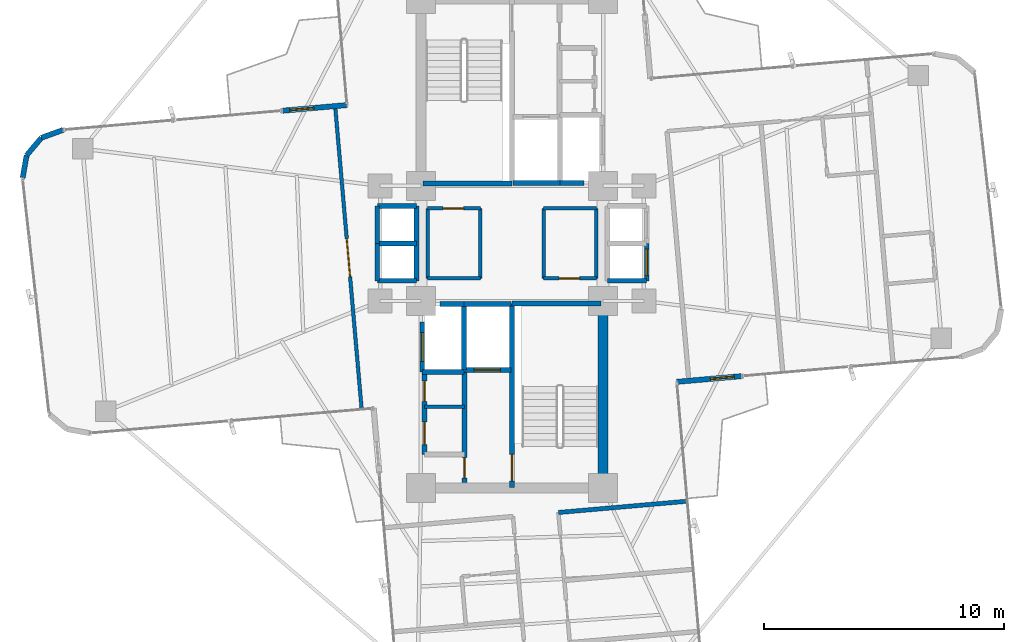
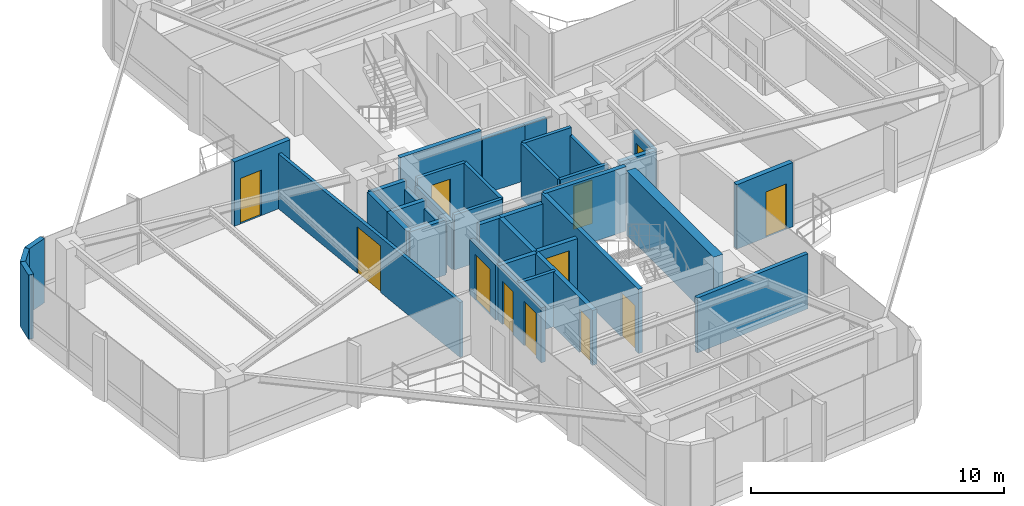
# One storey, part 21 of 24: 38 walls, 12 doors, 12 openings.
"""IFC4 building model written with IfcOpenShell, lengths in metres."""

from ifc_helpers import new_model, si_unit, direction, frame, frame_2d, origin, origin_2d, place, context, subcontext, project, spatial, rectangle, extrude, source, transform, mapped, material, layer, layer_set, type_object, element, fill, save


model = new_model("IFC4")

# Units and contexts
model_context = context("Model", 3, precision=1e-05, world=origin(), true_north=direction((0.0, 1.0)))
body_context = subcontext(model_context, "Body", "Model", "MODEL_VIEW")
ifc_project = project(units=[si_unit("LENGTHUNIT", "METRE"), si_unit("AREAUNIT", "SQUARE_METRE"), si_unit("VOLUMEUNIT", "CUBIC_METRE"), si_unit("PLANEANGLEUNIT", "RADIAN"), si_unit("MASSUNIT", "GRAM", prefix="KILO")], contexts=[model_context])

# Site, building, storey
site_placement = place(None, origin())
site = spatial("IfcSite", under=ifc_project, at=site_placement, CompositionType="ELEMENT")
building_placement = place(site_placement, origin())
building = spatial("IfcBuilding", under=site, at=building_placement, Name="Sahyath Konkavel Grand Hotel", CompositionType="ELEMENT")
storey_placement = place(building_placement, frame((0.0, 0.0, 150.60009765625)))
storey = spatial("IfcBuildingStorey", under=building, at=storey_placement, Name="L41", CompositionType="ELEMENT", Elevation=150.60009765625)

# Wall
ifc_material_1 = material(Name="Concrete C50/60", Category="concrete")
ifc_layer_1 = layer(ifc_material_1, 0.419921875)
ifc_layer_set_1 = layer_set([ifc_layer_1], Name="Concrete C50/60")
wall_type_1 = type_object("IfcWallType", Name="CWALL-420", PredefinedType="SHEAR", material=ifc_layer_set_1)
wall_1_placement = place(storey_placement, frame((3.800048828125, -9.75, 0.0), z_axis=(0.0, 0.0, 1.0), x_axis=(0.0, 1.0, 0.0)))
element("IfcWall", 1, at=wall_1_placement, inside=storey, type_object=wall_type_1, Name="L41 South Core Shear Wall E", PredefinedType="SHEAR", context=body_context, shape_type="SweptSolid", body=[
    extrude(rectangle(XDim=6.89990234375, YDim=0.419921875, at=frame_2d((3.449951171875, 0.0))), origin(), (0.0, 0.0, 1.0), 3.10986328125),
])

# Wall, opening, door
ifc_material_2 = material(Name="Warm Buff Sandstone Insulated Concrete C40/50", Category="masonry")
ifc_layer_2 = layer(ifc_material_2, 0.219970703125)
ifc_layer_set_2 = layer_set([ifc_layer_2], Name="Warm Buff Sandstone Insulated Concrete C40/50")
wall_type_2 = type_object("IfcWallType", Name="WLL-BALC-THRESH", PredefinedType="STANDARD", material=ifc_layer_set_2)
wall_2_placement = place(storey_placement, frame((6.87939453125, -5.7724609375, 0.0), z_axis=(0.0, 0.0, 1.0), x_axis=(0.996193619346, 0.087168071984, 0.0)))
wall_2 = element("IfcWall", 2, at=wall_2_placement, inside=storey, type_object=wall_type_2, Name="L41 Winter-Garden Threshold Wall 0", PredefinedType="STANDARD", context=body_context, shape_type="SweptSolid", body=[
    extrude(rectangle(XDim=2.699951171875, YDim=0.219970703125, at=frame_2d((1.35009765625, 0.0))), origin(), (0.0, 0.0, 1.0), 3.10986328125),
])
opening_1_placement = place(wall_2_placement, frame((1.39990234375, 0.0, 0.0)))
opening_1 = element("IfcOpeningElement", 3, at=opening_1_placement, cuts=wall_2, Name="Opening D-TR1", PredefinedType="OPENING", context=body_context, shape_type="SweptSolid", body=[
    extrude(rectangle(XDim=1.0, YDim=2.199951171875, at=frame_2d((0.5, 1.10009765625))), frame((0.0, 0.1201171875, 0.0), z_axis=(0.0, -1.0, 0.0), x_axis=(1.0, 0.0, 0.0)), (0.0, 0.0, 1.0), 0.239990234375),
])
ifc_material_3 = material(Name="Anodised Bronze Aluminium & Low-E Glazing", Category="aluminium")
door_type_1 = type_object("IfcDoorType", Name="DR-TERRACE-1000", OperationType="NOTDEFINED", PredefinedType="DOOR", material=ifc_material_3)
shared_shape_1 = source(origin(), body_context, "Body", "SweptSolid", [
    extrude(rectangle(XDim=1.0, YDim=0.050048828125, at=origin_2d()), origin(), (0.0, 0.0, 1.0), 2.199951171875),
])
door_1_placement = place(opening_1_placement, frame((0.5, 0.0, 0.0)))
door_1 = element("IfcDoor", 4, at=door_1_placement, inside=storey, type_object=door_type_1, Name="L41 Winter-Garden Terrace Door 0", OperationType="SINGLE_SWING_LEFT", OverallHeight=2.199951171875, OverallWidth=1.0, PredefinedType="DOOR", context=body_context, shape_type="MappedRepresentation", body=[
    mapped(shared_shape_1, transform((0.0, 0.0, 0.0), scale=1.0)),
])
fill(opening_1, door_1)

wall_3_placement = place(storey_placement, frame((-6.87939453125, 5.7724609375, 0.0), z_axis=(0.0, 0.0, 1.0), x_axis=(-0.996193619346, -0.087168071984, 0.0)))
wall_3 = element("IfcWall", 5, at=wall_3_placement, inside=storey, type_object=wall_type_2, Name="L41 Winter-Garden Threshold Wall 16", PredefinedType="STANDARD", context=body_context, shape_type="SweptSolid", body=[
    extrude(rectangle(XDim=2.699951171875, YDim=0.219970703125, at=frame_2d((1.35009765625, 0.0))), origin(), (0.0, 0.0, 1.0), 3.10986328125),
])
opening_2_placement = place(wall_3_placement, frame((1.39990234375, 0.0, 0.0)))
opening_2 = element("IfcOpeningElement", 6, at=opening_2_placement, cuts=wall_3, Name="Opening D-TR1", PredefinedType="OPENING", context=body_context, shape_type="SweptSolid", body=[
    extrude(rectangle(XDim=1.0, YDim=2.199951171875, at=frame_2d((0.5, 1.10009765625))), frame((0.0, 0.1201171875, 0.0), z_axis=(0.0, -1.0, 0.0), x_axis=(1.0, 0.0, 0.0)), (0.0, 0.0, 1.0), 0.239990234375),
])
door_2_placement = place(opening_2_placement, frame((0.5, 0.0, 0.0)))
door_2 = element("IfcDoor", 7, at=door_2_placement, inside=storey, type_object=door_type_1, Name="L41 Winter-Garden Terrace Door 16", OperationType="SINGLE_SWING_LEFT", OverallHeight=2.199951171875, OverallWidth=1.0, PredefinedType="DOOR", context=body_context, shape_type="MappedRepresentation", body=[
    mapped(shared_shape_1, transform((0.0, 0.0, 0.0), scale=1.0)),
])
fill(opening_2, door_2)

# Walls
wall_4_placement = place(storey_placement, frame((-18.73388671875, 4.735107421875, 0.0), z_axis=(0.0, 0.0, 1.0), x_axis=(-0.939741306239, -0.34188635151, 0.0)))
element("IfcWall", 8, at=wall_4_placement, inside=storey, type_object=wall_type_2, Name="L41 Rounded Corner Sandstone Pier 17", PredefinedType="STANDARD", context=body_context, shape_type="SweptSolid", body=[
    extrude(rectangle(XDim=0.95751953125, YDim=0.219970703125, at=frame_2d((0.478759765625, 0.0))), origin(), (0.0, 0.0, 1.0), 3.10986328125),
])
for number, where, z_axis, x_axis, name in (
    (9, (-19.6337890625, 4.40771484375, 0.0), (0.0, 0.0, 1.0), (-0.642863236823, -0.765980978054, 0.0), "L41 Rounded Corner Sandstone Pier 18"),
    (10, (-20.24951171875, 3.674072265625, 0.0), (0.0, 0.0, 1.0), (-0.173610811841, -0.984814340885, 0.0), "L41 Rounded Corner Sandstone Pier 19"),
):
    element("IfcWall", number, at=place(storey_placement, frame(where, z_axis=z_axis, x_axis=x_axis)), inside=storey, type_object=wall_type_2, Name=name, PredefinedType="STANDARD", context=body_context, shape_type="SweptSolid", body=[
        extrude(rectangle(XDim=0.957763671875, YDim=0.219970703125, at=frame_2d((0.47900390625, 0.0))), origin(), (0.0, 0.0, 1.0), 3.10986328125),
    ])
ifc_material_4 = material(Name="Concrete C40/50", Category="concrete")
ifc_layer_3 = layer(ifc_material_4, 0.199951171875)
ifc_layer_set_3 = layer_set([ifc_layer_3], Name="Concrete C40/50")
wall_type_3 = type_object("IfcWallType", Name="WLL-CORE-200", PredefinedType="SOLIDWALL", material=ifc_layer_set_3)
wall_5_placement = place(storey_placement, frame((-3.719970703125, 2.5, 0.0), z_axis=(0.0, 0.0, 1.0), x_axis=(1.0, 0.0, 0.0)))
element("IfcWall", 11, at=wall_5_placement, inside=storey, type_object=wall_type_3, Name="L41 Stair ST-1 Shaft Wall S", PredefinedType="SOLIDWALL", context=body_context, shape_type="SweptSolid", body=[
    extrude(rectangle(XDim=3.719970703125, YDim=0.199951171875, at=frame_2d((1.85986328125, 0.0))), origin(), (0.0, 0.0, 1.0), 3.10986328125),
])

# Wall, opening, door
wall_6_placement = place(storey_placement, frame((0.0, -10.179931640625, 0.0), z_axis=(0.0, 0.0, 1.0), x_axis=(0.0, 1.0, 0.0)))
wall_6 = element("IfcWall", 12, at=wall_6_placement, inside=storey, type_object=wall_type_3, Name="L41 Stair ST-2 Shaft Wall W", PredefinedType="SOLIDWALL", context=body_context, shape_type="SweptSolid", body=[
    extrude(rectangle(XDim=7.679931640625, YDim=0.199951171875, at=frame_2d((3.83984375, 0.0))), origin(), (0.0, 0.0, 1.0), 3.10986328125),
])
opening_3_placement = place(wall_6_placement, frame((0.280029296875, 0.0, 0.0)))
opening_3 = element("IfcOpeningElement", 13, at=opening_3_placement, cuts=wall_6, Name="Opening D-F12B", PredefinedType="OPENING", context=body_context, shape_type="SweptSolid", body=[
    extrude(rectangle(XDim=1.10009765625, YDim=2.14990234375, at=frame_2d((0.550048828125, 1.074951171875))), frame((0.0, 0.10986328125, 0.0), z_axis=(0.0, -1.0, 0.0), x_axis=(1.0, 0.0, 0.0)), (0.0, 0.0, 1.0), 0.219970703125),
])
ifc_material_5 = material(Name="Steel E350 Smokeproof Fire Door", Category="steel")
door_type_2 = type_object("IfcDoorType", Name="DR-FD120-1100", OperationType="NOTDEFINED", PredefinedType="DOOR", material=ifc_material_5)
shared_shape_2 = source(origin(), body_context, "Body", "SweptSolid", [
    extrude(rectangle(XDim=1.10009765625, YDim=0.050048828125, at=origin_2d()), origin(), (0.0, 0.0, 1.0), 2.14990234375),
])
door_3_placement = place(opening_3_placement, frame((0.550048828125, 0.0, 0.0)))
door_3 = element("IfcDoor", 14, at=door_3_placement, inside=storey, type_object=door_type_2, Name="L41 Stair ST-2 Fire Door", OperationType="SINGLE_SWING_RIGHT", OverallHeight=2.14990234375, OverallWidth=1.10009765625, PredefinedType="DOOR", context=body_context, shape_type="MappedRepresentation", body=[
    mapped(shared_shape_2, transform((0.0, 0.0, 0.0), scale=1.0)),
])
fill(opening_3, door_3)

# Wall
wall_7_placement = place(storey_placement, frame((0.0, -2.5, 0.0), z_axis=(0.0, 0.0, 1.0), x_axis=(1.0, 0.0, 0.0)))
element("IfcWall", 15, at=wall_7_placement, inside=storey, type_object=wall_type_3, Name="L41 Stair ST-2 Shaft Wall N", PredefinedType="SOLIDWALL", context=body_context, shape_type="SweptSolid", body=[
    extrude(rectangle(XDim=3.719970703125, YDim=0.199951171875, at=frame_2d((1.85986328125, 0.0))), origin(), (0.0, 0.0, 1.0), 3.10986328125),
])

# Wall, opening, door
wall_8_placement = place(storey_placement, frame((-1.97998046875, -9.97998046875, 0.0), z_axis=(0.0, 0.0, 1.0), x_axis=(0.0, 1.0, 0.0)))
wall_8 = element("IfcWall", 16, at=wall_8_placement, inside=storey, type_object=wall_type_3, Name="L41 South Firefighting Lobby Wall W", PredefinedType="SOLIDWALL", context=body_context, shape_type="SweptSolid", body=[
    extrude(rectangle(XDim=4.659912109375, YDim=0.199951171875, at=frame_2d((2.330078125, 0.0))), origin(), (0.0, 0.0, 1.0), 2.659912109375),
])
opening_4_placement = place(wall_8_placement, frame((0.199951171875, 0.0, 0.0)))
opening_4 = element("IfcOpeningElement", 17, at=opening_4_placement, cuts=wall_8, Name="Opening D-F12D", PredefinedType="OPENING", context=body_context, shape_type="SweptSolid", body=[
    extrude(rectangle(XDim=0.85009765625, YDim=2.10009765625, at=frame_2d((0.425048828125, 1.050048828125))), frame((0.0, 0.10986328125, 0.0), z_axis=(0.0, -1.0, 0.0), x_axis=(1.0, 0.0, 0.0)), (0.0, 0.0, 1.0), 0.219970703125),
])
ifc_material_6 = material(Name="Steel E350 Core Fire Door", Category="steel")
door_type_3 = type_object("IfcDoorType", Name="DR-FD120-850", OperationType="NOTDEFINED", PredefinedType="DOOR", material=ifc_material_6)
shared_shape_3 = source(origin(), body_context, "Body", "SweptSolid", [
    extrude(rectangle(XDim=0.85009765625, YDim=0.050048828125, at=origin_2d()), origin(), (0.0, 0.0, 1.0), 2.10009765625),
])
door_4_placement = place(opening_4_placement, frame((0.425048828125, 0.0, 0.0)))
door_4 = element("IfcDoor", 18, at=door_4_placement, inside=storey, type_object=door_type_3, Name="L41 South Firefighting Lobby Door", OperationType="SINGLE_SWING_RIGHT", OverallHeight=2.10009765625, OverallWidth=0.85009765625, PredefinedType="DOOR", context=body_context, shape_type="MappedRepresentation", body=[
    mapped(shared_shape_3, transform((0.0, 0.0, 0.0), scale=1.0)),
])
fill(opening_4, door_4)

# Walls
wall_9_placement = place(storey_placement, frame((0.050048828125, 2.52001953125, 0.0), z_axis=(0.0, 0.0, 1.0), x_axis=(1.0, 0.0, 0.0)))
element("IfcWall", 19, at=wall_9_placement, inside=storey, type_object=wall_type_3, Name="L41 Partition SH-FFL1-S", PredefinedType="SOLIDWALL", context=body_context, shape_type="SweptSolid", body=[
    extrude(rectangle(XDim=1.949951171875, YDim=0.199951171875, at=frame_2d((0.97509765625, 0.0))), origin(), (0.0, 0.0, 1.0), 2.659912109375),
])
wall_10_placement = place(storey_placement, frame((-2.0, -5.280029296875, 0.0), z_axis=(0.0, 0.0, 1.0), x_axis=(0.0, 1.0, 0.0)))
element("IfcWall", 20, at=wall_10_placement, inside=storey, type_object=wall_type_3, Name="L41 Partition SH-FFL2-W", PredefinedType="SOLIDWALL", context=body_context, shape_type="SweptSolid", body=[
    extrude(rectangle(XDim=2.780029296875, YDim=0.199951171875, at=frame_2d((1.39013671875, 0.0))), origin(), (0.0, 0.0, 1.0), 2.659912109375),
])
wall_11_placement = place(storey_placement, frame((-2.0, -2.52001953125, 0.0), z_axis=(0.0, 0.0, 1.0), x_axis=(1.0, 0.0, 0.0)))
element("IfcWall", 21, at=wall_11_placement, inside=storey, type_object=wall_type_3, Name="L41 Partition SH-FFL2-N", PredefinedType="SOLIDWALL", context=body_context, shape_type="SweptSolid", body=[
    extrude(rectangle(XDim=1.949951171875, YDim=0.199951171875, at=frame_2d((0.97509765625, 0.0))), origin(), (0.0, 0.0, 1.0), 2.659912109375),
])

# Wall, opening, door
wall_12_placement = place(storey_placement, frame((-1.97998046875, -5.280029296875, 0.0), z_axis=(0.0, 0.0, 1.0), x_axis=(1.0, 0.0, 0.0)))
wall_12 = element("IfcWall", 22, at=wall_12_placement, inside=storey, type_object=wall_type_3, Name="L41 Partition SH-FFL2-S", PredefinedType="SOLIDWALL", context=body_context, shape_type="SweptSolid", body=[
    extrude(rectangle(XDim=1.929931640625, YDim=0.199951171875, at=frame_2d((0.96484375, 0.0))), origin(), (0.0, 0.0, 1.0), 2.659912109375),
])
opening_5_placement = place(wall_12_placement, frame((0.39990234375, 0.0, 0.0)))
opening_5 = element("IfcOpeningElement", 23, at=opening_5_placement, cuts=wall_12, Name="Opening LD-11", PredefinedType="OPENING", context=body_context, shape_type="SweptSolid", body=[
    extrude(rectangle(XDim=1.10009765625, YDim=2.199951171875, at=frame_2d((0.550048828125, 1.10009765625))), frame((0.0, 0.10986328125, 0.0), z_axis=(0.0, -1.0, 0.0), x_axis=(1.0, 0.0, 0.0)), (0.0, 0.0, 1.0), 0.219970703125),
])
ifc_material_7 = material(Name="Bronze Lift Landing Door 1100")
door_type_4 = type_object("IfcDoorType", Name="DR-LIFT-1100", OperationType="DOUBLE_DOOR_SLIDING", PredefinedType="DOOR", material=ifc_material_7)
shared_shape_4 = source(origin(), body_context, "Body", "SweptSolid", [
    extrude(rectangle(XDim=1.10009765625, YDim=0.050048828125, at=origin_2d()), origin(), (0.0, 0.0, 1.0), 2.199951171875),
])
door_5_placement = place(opening_5_placement, frame((0.550048828125, 0.0, 0.0)))
door_5 = element("IfcDoor", 24, at=door_5_placement, inside=storey, type_object=door_type_4, Name="L41 Lift FFL-2 Landing Door", OperationType="DOUBLE_DOOR_SLIDING", OverallHeight=2.199951171875, OverallWidth=1.10009765625, PredefinedType="DOOR", context=body_context, shape_type="MappedRepresentation", body=[
    mapped(shared_shape_4, transform((0.0, 0.0, 0.0), scale=1.0)),
])
fill(opening_5, door_5)

# Walls
for number, where, z_axis, x_axis, name in (
    (25, (2.0, 2.52001953125, 0.0), (0.0, 0.0, 1.0), (1.0, 0.0, 0.0), "L41 Partition SH-SVL1-S"),
    (26, (-3.0, -2.52001953125, 0.0), (0.0, 0.0, 1.0), (1.0, 0.0, 0.0), "L41 Partition SH-SVL2-N"),
):
    element("IfcWall", number, at=place(storey_placement, frame(where, z_axis=z_axis, x_axis=x_axis)), inside=storey, type_object=wall_type_3, Name=name, PredefinedType="SOLIDWALL", context=body_context, shape_type="SweptSolid", body=[
        extrude(rectangle(XDim=1.0, YDim=0.199951171875, at=frame_2d((0.5, 0.0))), origin(), (0.0, 0.0, 1.0), 2.659912109375),
    ])
wall_13_placement = place(storey_placement, frame((-3.739990234375, -5.360107421875, 0.0), z_axis=(0.0, 0.0, 1.0), x_axis=(1.0, 0.0, 0.0)))
element("IfcWall", 27, at=wall_13_placement, inside=storey, type_object=wall_type_3, Name="L41 Partition SH-SVL2-S", PredefinedType="SOLIDWALL", context=body_context, shape_type="SweptSolid", body=[
    extrude(rectangle(XDim=1.739990234375, YDim=0.199951171875, at=frame_2d((0.8701171875, 0.0))), origin(), (0.0, 0.0, 1.0), 2.659912109375),
])

# Wall, opening, door
wall_14_placement = place(storey_placement, frame((-3.739990234375, -5.360107421875, 0.0), z_axis=(0.0, 0.0, 1.0), x_axis=(0.0, 1.0, 0.0)))
wall_14 = element("IfcWall", 28, at=wall_14_placement, inside=storey, type_object=wall_type_3, Name="L41 Partition SH-SVL2-W", PredefinedType="SOLIDWALL", context=body_context, shape_type="SweptSolid", body=[
    extrude(rectangle(XDim=2.080078125, YDim=0.199951171875, at=frame_2d((1.0400390625, 0.0))), origin(), (0.0, 0.0, 1.0), 2.659912109375),
])
opening_6_placement = place(wall_14_placement, frame((0.43994140625, 0.0, 0.0)))
opening_6 = element("IfcOpeningElement", 29, at=opening_6_placement, cuts=wall_14, Name="Opening LD-12", PredefinedType="OPENING", context=body_context, shape_type="SweptSolid", body=[
    extrude(rectangle(XDim=1.199951171875, YDim=2.199951171875, at=frame_2d((0.60009765625, 1.10009765625))), frame((0.0, 0.10986328125, 0.0), z_axis=(0.0, -1.0, 0.0), x_axis=(1.0, 0.0, 0.0)), (0.0, 0.0, 1.0), 0.219970703125),
])
ifc_material_8 = material(Name="Stainless Steel Lift Landing Door 1200", Category="steel")
door_type_5 = type_object("IfcDoorType", Name="DR-LIFT-1200", OperationType="DOUBLE_DOOR_SLIDING", PredefinedType="DOOR", material=ifc_material_8)
shared_shape_5 = source(origin(), body_context, "Body", "SweptSolid", [
    extrude(rectangle(XDim=1.199951171875, YDim=0.050048828125, at=origin_2d()), origin(), (0.0, 0.0, 1.0), 2.199951171875),
])
door_6_placement = place(opening_6_placement, frame((0.60009765625, 0.0, 0.0)))
door_6 = element("IfcDoor", 30, at=door_6_placement, inside=storey, type_object=door_type_5, Name="L41 Service Lift SVL-2 Landing Door", OperationType="DOUBLE_DOOR_SLIDING", OverallHeight=2.199951171875, OverallWidth=1.199951171875, PredefinedType="DOOR", context=body_context, shape_type="MappedRepresentation", body=[
    mapped(shared_shape_5, transform((0.0, 0.0, 0.0), scale=1.0)),
])
fill(opening_6, door_6)

# Wall
wall_15_placement = place(storey_placement, frame((3.97998046875, -1.56005859375, 0.0), z_axis=(0.0, 0.0, 1.0), x_axis=(1.0, 0.0, 0.0)))
element("IfcWall", 31, at=wall_15_placement, inside=storey, type_object=wall_type_3, Name="L41 Partition SH-PL56-S", PredefinedType="SOLIDWALL", context=body_context, shape_type="SweptSolid", body=[
    extrude(rectangle(XDim=1.64013671875, YDim=0.199951171875, at=frame_2d((0.820068359375, 0.0))), origin(), (0.0, 0.0, 1.0), 2.659912109375),
])

# Wall, opening, door
wall_16_placement = place(storey_placement, frame((5.6201171875, -1.56005859375, 0.0), z_axis=(0.0, 0.0, 1.0), x_axis=(0.0, 1.0, 0.0)))
wall_16 = element("IfcWall", 32, at=wall_16_placement, inside=storey, type_object=wall_type_3, Name="L41 Partition SH-PL6-E", PredefinedType="SOLIDWALL", context=body_context, shape_type="SweptSolid", body=[
    extrude(rectangle(XDim=1.56005859375, YDim=0.199951171875, at=frame_2d((0.780029296875, 0.0))), origin(), (0.0, 0.0, 1.0), 2.659912109375),
])
opening_7_placement = place(wall_16_placement, frame((0.219970703125, 0.0, 0.0)))
opening_7 = element("IfcOpeningElement", 33, at=opening_7_placement, cuts=wall_16, Name="Opening LD-11", PredefinedType="OPENING", context=body_context, shape_type="SweptSolid", body=[
    extrude(rectangle(XDim=1.10009765625, YDim=2.199951171875, at=frame_2d((0.550048828125, 1.10009765625))), frame((0.0, 0.10986328125, 0.0), z_axis=(0.0, -1.0, 0.0), x_axis=(1.0, 0.0, 0.0)), (0.0, 0.0, 1.0), 0.219970703125),
])
door_7_placement = place(opening_7_placement, frame((0.550048828125, 0.0, 0.0)))
door_7 = element("IfcDoor", 34, at=door_7_placement, inside=storey, type_object=door_type_4, Name="L41 High-Rise Lift PL-6 Landing Door", OperationType="DOUBLE_DOOR_SLIDING", OverallHeight=2.199951171875, OverallWidth=1.10009765625, PredefinedType="DOOR", context=body_context, shape_type="MappedRepresentation", body=[
    mapped(shared_shape_4, transform((0.0, 0.0, 0.0), scale=1.0)),
])
fill(opening_7, door_7)

# Walls
wall_17_placement = place(storey_placement, frame((-3.97998046875, -1.56005859375, 0.0), z_axis=(0.0, 0.0, 1.0), x_axis=(0.0, 1.0, 0.0)))
element("IfcWall", 35, at=wall_17_placement, inside=storey, type_object=wall_type_3, Name="L41 Partition SH-SL12-E", PredefinedType="SOLIDWALL", context=body_context, shape_type="SweptSolid", body=[
    extrude(rectangle(XDim=3.1201171875, YDim=0.199951171875, at=frame_2d((1.56005859375, 0.0))), origin(), (0.0, 0.0, 1.0), 2.27978515625),
])
for number, where, z_axis, x_axis, name in (
    (36, (-5.6201171875, 1.56005859375, 0.0), (0.0, 0.0, 1.0), (1.0, 0.0, 0.0), "L41 Partition SH-SL12-N"),
    (37, (-5.6201171875, -1.56005859375, 0.0), (0.0, 0.0, 1.0), (1.0, 0.0, 0.0), "L41 Partition SH-SL12-S"),
    (38, (-5.6201171875, 0.0, 0.0), (0.0, 0.0, 1.0), (1.0, 0.0, 0.0), "L41 Partition SH-SL12-M"),
):
    element("IfcWall", number, at=place(storey_placement, frame(where, z_axis=z_axis, x_axis=x_axis)), inside=storey, type_object=wall_type_3, Name=name, PredefinedType="SOLIDWALL", context=body_context, shape_type="SweptSolid", body=[
        extrude(rectangle(XDim=1.64013671875, YDim=0.199951171875, at=frame_2d((0.820068359375, 0.0))), origin(), (0.0, 0.0, 1.0), 2.659912109375),
    ])
for number, where, z_axis, x_axis, name in (
    (39, (-5.6201171875, 0.0, 0.0), (0.0, 0.0, 1.0), (0.0, 1.0, 0.0), "L41 Partition SH-SL1-W"),
    (40, (-5.6201171875, -1.56005859375, 0.0), (0.0, 0.0, 1.0), (0.0, 1.0, 0.0), "L41 Partition SH-SL2-W"),
):
    element("IfcWall", number, at=place(storey_placement, frame(where, z_axis=z_axis, x_axis=x_axis)), inside=storey, type_object=wall_type_3, Name=name, PredefinedType="SOLIDWALL", context=body_context, shape_type="SweptSolid", body=[
        extrude(rectangle(XDim=1.56005859375, YDim=0.199951171875, at=frame_2d((0.780029296875, 0.0))), origin(), (0.0, 0.0, 1.0), 2.659912109375),
    ])

# Wall, openings, doors
wall_18_placement = place(storey_placement, frame((-3.64990234375, -8.81005859375, 0.0), z_axis=(0.0, 0.0, 1.0), x_axis=(0.0, 1.0, 0.0)))
wall_18 = element("IfcWall", 41, at=wall_18_placement, inside=storey, type_object=wall_type_3, Name="L41 Reclaimed South Core Wall W", PredefinedType="SOLIDWALL", context=body_context, shape_type="SweptSolid", body=[
    extrude(rectangle(XDim=3.43017578125, YDim=0.199951171875, at=frame_2d((1.715087890625, 0.0))), origin(), (0.0, 0.0, 1.0), 2.659912109375),
])
opening_8_placement = place(wall_18_placement, frame((0.419921875, 0.0, 0.0)))
opening_8 = element("IfcOpeningElement", 42, at=opening_8_placement, cuts=wall_18, Name="Opening D-AC95", PredefinedType="OPENING", context=body_context, shape_type="SweptSolid", body=[
    extrude(rectangle(XDim=0.949951171875, YDim=2.14990234375, at=frame_2d((0.47509765625, 1.074951171875))), frame((0.0, 0.10986328125, 0.0), z_axis=(0.0, -1.0, 0.0), x_axis=(1.0, 0.0, 0.0)), (0.0, 0.0, 1.0), 0.219970703125),
])
opening_9_placement = place(wall_18_placement, frame((2.219970703125, 0.0, 0.0)))
opening_9 = element("IfcOpeningElement", 43, at=opening_9_placement, cuts=wall_18, Name="Opening D-F06D", PredefinedType="OPENING", context=body_context, shape_type="SweptSolid", body=[
    extrude(rectangle(XDim=0.85009765625, YDim=2.10009765625, at=frame_2d((0.425048828125, 1.050048828125))), frame((0.0, 0.10986328125, 0.0), z_axis=(0.0, -1.0, 0.0), x_axis=(1.0, 0.0, 0.0)), (0.0, 0.0, 1.0), 0.219970703125),
])
ifc_material_9 = material(Name="Accessible Washroom Timber Door", Category="wood")
door_type_6 = type_object("IfcDoorType", Name="DR-ACC-950", OperationType="NOTDEFINED", PredefinedType="DOOR", material=ifc_material_9)
shared_shape_6 = source(origin(), body_context, "Body", "SweptSolid", [
    extrude(rectangle(XDim=0.949951171875, YDim=0.050048828125, at=origin_2d()), origin(), (0.0, 0.0, 1.0), 2.14990234375),
])
door_8_placement = place(opening_8_placement, frame((0.47509765625, 0.0, 0.0)))
door_8 = element("IfcDoor", 44, at=door_8_placement, inside=storey, type_object=door_type_6, Name="L41 Door SC-REC1-D", OperationType="SINGLE_SWING_LEFT", OverallHeight=2.14990234375, OverallWidth=0.949951171875, PredefinedType="DOOR", context=body_context, shape_type="MappedRepresentation", body=[
    mapped(shared_shape_6, transform((0.0, 0.0, 0.0), scale=1.0)),
])
fill(opening_8, door_8)
ifc_material_10 = material(Name="Fire-Rated Shaft Access Door")
door_type_7 = type_object("IfcDoorType", Name="DR-FD60-850", OperationType="NOTDEFINED", PredefinedType="DOOR", material=ifc_material_10)
door_9_placement = place(opening_9_placement, frame((0.425048828125, 0.0, 0.0)))
door_9 = element("IfcDoor", 45, at=door_9_placement, inside=storey, type_object=door_type_7, Name="L41 Door SC-REC2-D", OperationType="SINGLE_SWING_RIGHT", OverallHeight=2.10009765625, OverallWidth=0.85009765625, PredefinedType="DOOR", context=body_context, shape_type="MappedRepresentation", body=[
    mapped(shared_shape_3, transform((0.0, 0.0, 0.0), scale=1.0)),
])
fill(opening_9, door_9)

# Walls
ifc_material_11 = material(Name="Twin-Stud Acoustic Gypsum Plasterboard Partition")
ifc_layer_4 = layer(ifc_material_11, 0.179931640625)
ifc_layer_set_4 = layer_set([ifc_layer_4], Name="Twin-Stud Acoustic Gypsum Plasterboard Partition")
wall_type_4 = type_object("IfcWallType", Name="WLL-DEMISE-180", PredefinedType="PARTITIONING", material=ifc_layer_set_4)
wall_19_placement = place(storey_placement, frame((1.935546875, -11.22412109375, 0.0), z_axis=(0.0, 0.0, 1.0), x_axis=(0.996194212812, 0.087161289348, 0.0)))
element("IfcWall", 46, at=wall_19_placement, inside=storey, type_object=wall_type_4, Name="L41 Partition S-INL", PredefinedType="PARTITIONING", context=body_context, shape_type="SweptSolid", body=[
    extrude(rectangle(XDim=5.349853515625, YDim=0.179931640625, at=frame_2d((2.6748046875, 0.0))), origin(), (0.0, 0.0, 1.0), 2.659912109375),
])
ifc_material_12 = material(Name="Fire-Rated Gypsum Plasterboard Partition")
ifc_layer_5 = layer(ifc_material_12, 0.14990234375)
ifc_layer_set_5 = layer_set([ifc_layer_5], Name="Fire-Rated Gypsum Plasterboard Partition")
wall_type_5 = type_object("IfcWallType", Name="WLL-PART-150", PredefinedType="PARTITIONING", material=ifc_layer_set_5)
wall_20_placement = place(storey_placement, frame((-3.64990234375, -6.81005859375, 0.0), z_axis=(0.0, 0.0, 1.0), x_axis=(1.0, 0.0, 0.0)))
element("IfcWall", 47, at=wall_20_placement, inside=storey, type_object=wall_type_5, Name="L41 Partition SC-REC-M1", PredefinedType="PARTITIONING", context=body_context, shape_type="SweptSolid", body=[
    extrude(rectangle(XDim=1.669921875, YDim=0.14990234375, at=frame_2d((0.8349609375, 0.0))), origin(), (0.0, 0.0, 1.0), 2.659912109375),
])
wall_21_placement = place(storey_placement, frame((-1.320068359375, -1.4599609375, 0.0), z_axis=(0.0, 0.0, 1.0), x_axis=(0.0, 1.0, 0.0)))
element("IfcWall", 48, at=wall_21_placement, inside=storey, type_object=wall_type_5, Name="L41 Partition CC-1WI", PredefinedType="PARTITIONING", context=body_context, shape_type="SweptSolid", body=[
    extrude(rectangle(XDim=2.919921875, YDim=0.14990234375, at=frame_2d((1.4599609375, 0.0))), origin(), (0.0, 0.0, 1.0), 2.659912109375),
])
wall_22_placement = place(storey_placement, frame((-3.52001953125, -1.4599609375, 0.0), z_axis=(0.0, 0.0, 1.0), x_axis=(0.0, 1.0, 0.0)))
element("IfcWall", 49, at=wall_22_placement, inside=storey, type_object=wall_type_5, Name="L41 Partition CC-1WO", PredefinedType="PARTITIONING", context=body_context, shape_type="SweptSolid", body=[
    extrude(rectangle(XDim=2.919921875, YDim=0.14990234375, at=frame_2d((1.4599609375, 0.0))), origin(), (0.0, 0.0, 1.0), 2.27978515625),
])

# Wall, opening, door
wall_23_placement = place(storey_placement, frame((-3.52001953125, 1.4599609375, 0.0), z_axis=(0.0, 0.0, 1.0), x_axis=(1.0, 0.0, 0.0)))
wall_23 = element("IfcWall", 50, at=wall_23_placement, inside=storey, type_object=wall_type_5, Name="L41 Partition CC-1WN", PredefinedType="PARTITIONING", context=body_context, shape_type="SweptSolid", body=[
    extrude(rectangle(XDim=2.199951171875, YDim=0.14990234375, at=frame_2d((1.10009765625, 0.0))), origin(), (0.0, 0.0, 1.0), 2.659912109375),
])
opening_10_placement = place(wall_23_placement, frame((0.64990234375, 0.0, 0.0)))
opening_10 = element("IfcOpeningElement", 51, at=opening_10_placement, cuts=wall_23, Name="Opening D-F06D", PredefinedType="OPENING", context=body_context, shape_type="SweptSolid", body=[
    extrude(rectangle(XDim=0.85009765625, YDim=2.10009765625, at=frame_2d((0.425048828125, 1.050048828125))), frame((0.0, 0.0849609375, 0.0), z_axis=(0.0, -1.0, 0.0), x_axis=(1.0, 0.0, 0.0)), (0.0, 0.0, 1.0), 0.169921875),
])
door_10_placement = place(opening_10_placement, frame((0.425048828125, 0.0, 0.0)))
door_10 = element("IfcDoor", 52, at=door_10_placement, inside=storey, type_object=door_type_7, Name="L41 Door CC-D1W", OperationType="SINGLE_SWING_LEFT", OverallHeight=2.10009765625, OverallWidth=0.85009765625, PredefinedType="DOOR", context=body_context, shape_type="MappedRepresentation", body=[
    mapped(shared_shape_3, transform((0.0, 0.0, 0.0), scale=1.0)),
])
fill(opening_10, door_10)

# Walls
wall_24_placement = place(storey_placement, frame((-3.52001953125, -1.4599609375, 0.0), z_axis=(0.0, 0.0, 1.0), x_axis=(1.0, 0.0, 0.0)))
element("IfcWall", 53, at=wall_24_placement, inside=storey, type_object=wall_type_5, Name="L41 Partition CC-1WS", PredefinedType="PARTITIONING", context=body_context, shape_type="SweptSolid", body=[
    extrude(rectangle(XDim=2.199951171875, YDim=0.14990234375, at=frame_2d((1.10009765625, 0.0))), origin(), (0.0, 0.0, 1.0), 2.659912109375),
])
wall_25_placement = place(storey_placement, frame((1.320068359375, -1.4599609375, 0.0), z_axis=(0.0, 0.0, 1.0), x_axis=(0.0, 1.0, 0.0)))
element("IfcWall", 54, at=wall_25_placement, inside=storey, type_object=wall_type_5, Name="L41 Partition CC-1EI", PredefinedType="PARTITIONING", context=body_context, shape_type="SweptSolid", body=[
    extrude(rectangle(XDim=2.919921875, YDim=0.14990234375, at=frame_2d((1.4599609375, 0.0))), origin(), (0.0, 0.0, 1.0), 2.659912109375),
])
wall_26_placement = place(storey_placement, frame((3.52001953125, -1.4599609375, 0.0), z_axis=(0.0, 0.0, 1.0), x_axis=(0.0, 1.0, 0.0)))
element("IfcWall", 55, at=wall_26_placement, inside=storey, type_object=wall_type_5, Name="L41 Partition CC-1EO", PredefinedType="PARTITIONING", context=body_context, shape_type="SweptSolid", body=[
    extrude(rectangle(XDim=2.919921875, YDim=0.14990234375, at=frame_2d((1.4599609375, 0.0))), origin(), (0.0, 0.0, 1.0), 2.27978515625),
])
wall_27_placement = place(storey_placement, frame((1.320068359375, 1.4599609375, 0.0), z_axis=(0.0, 0.0, 1.0), x_axis=(1.0, 0.0, 0.0)))
element("IfcWall", 56, at=wall_27_placement, inside=storey, type_object=wall_type_5, Name="L41 Partition CC-1EN", PredefinedType="PARTITIONING", context=body_context, shape_type="SweptSolid", body=[
    extrude(rectangle(XDim=2.199951171875, YDim=0.14990234375, at=frame_2d((1.10009765625, 0.0))), origin(), (0.0, 0.0, 1.0), 2.659912109375),
])

# Wall, opening, door
wall_28_placement = place(storey_placement, frame((1.320068359375, -1.4599609375, 0.0), z_axis=(0.0, 0.0, 1.0), x_axis=(1.0, 0.0, 0.0)))
wall_28 = element("IfcWall", 57, at=wall_28_placement, inside=storey, type_object=wall_type_5, Name="L41 Partition CC-1ES", PredefinedType="PARTITIONING", context=body_context, shape_type="SweptSolid", body=[
    extrude(rectangle(XDim=2.199951171875, YDim=0.14990234375, at=frame_2d((1.10009765625, 0.0))), origin(), (0.0, 0.0, 1.0), 2.659912109375),
])
opening_11_placement = place(wall_28_placement, frame((0.64990234375, 0.0, 0.0)))
opening_11 = element("IfcOpeningElement", 58, at=opening_11_placement, cuts=wall_28, Name="Opening D-F06D", PredefinedType="OPENING", context=body_context, shape_type="SweptSolid", body=[
    extrude(rectangle(XDim=0.85009765625, YDim=2.10009765625, at=frame_2d((0.425048828125, 1.050048828125))), frame((0.0, 0.0849609375, 0.0), z_axis=(0.0, -1.0, 0.0), x_axis=(1.0, 0.0, 0.0)), (0.0, 0.0, 1.0), 0.169921875),
])
door_11_placement = place(opening_11_placement, frame((0.425048828125, 0.0, 0.0)))
door_11 = element("IfcDoor", 59, at=door_11_placement, inside=storey, type_object=door_type_7, Name="L41 Door CC-D1E", OperationType="SINGLE_SWING_RIGHT", OverallHeight=2.10009765625, OverallWidth=0.85009765625, PredefinedType="DOOR", context=body_context, shape_type="MappedRepresentation", body=[
    mapped(shared_shape_3, transform((0.0, 0.0, 0.0), scale=1.0)),
])
fill(opening_11, door_11)

wall_29_placement = place(storey_placement, frame((-7.373046875, 5.678955078125, 0.0), z_axis=(0.0, 0.0, 1.0), x_axis=(0.087154691724, -0.996194790044, 0.0)))
wall_29 = element("IfcWall", 60, at=wall_29_placement, inside=storey, type_object=wall_type_5, Name="L41 Partition W-SAL-IN", PredefinedType="PARTITIONING", context=body_context, shape_type="SweptSolid", body=[
    extrude(rectangle(XDim=12.599853515625, YDim=0.14990234375, at=frame_2d((6.2998046875, 0.0))), origin(), (0.0, 0.0, 1.0), 2.659912109375),
])
opening_12_placement = place(wall_29_placement, frame((5.5, 0.0, 0.0)))
opening_12 = element("IfcOpeningElement", 61, at=opening_12_placement, cuts=wall_29, Name="Opening D-DB16", PredefinedType="OPENING", context=body_context, shape_type="SweptSolid", body=[
    extrude(rectangle(XDim=1.60009765625, YDim=2.25, at=frame_2d((0.800048828125, 1.125))), frame((0.0, 0.0849609375, 0.0), z_axis=(0.0, -1.0, 0.0), x_axis=(1.0, 0.0, 0.0)), (0.0, 0.0, 1.0), 0.169921875),
])
ifc_material_13 = material(Name="Double Leaf Lounge Glazed Timber Door", Category="wood")
door_type_8 = type_object("IfcDoorType", Name="DR-DBL-1600", OperationType="DOUBLE_DOOR_SINGLE_SWING", PredefinedType="DOOR", material=ifc_material_13)
shared_shape_7 = source(origin(), body_context, "Body", "SweptSolid", [
    extrude(rectangle(XDim=1.60009765625, YDim=0.050048828125, at=origin_2d()), origin(), (0.0, 0.0, 1.0), 2.25),
])
door_12_placement = place(opening_12_placement, frame((0.800048828125, 0.0, 0.0)))
door_12 = element("IfcDoor", 62, at=door_12_placement, inside=storey, type_object=door_type_8, Name="L41 Door W-SAL-D", OperationType="DOUBLE_DOOR_SINGLE_SWING", OverallHeight=2.25, OverallWidth=1.60009765625, PredefinedType="DOOR", context=body_context, shape_type="MappedRepresentation", body=[
    mapped(shared_shape_7, transform((0.0, 0.0, 0.0), scale=1.0)),
])
fill(opening_12, door_12)

save(model, "model.ifc")
